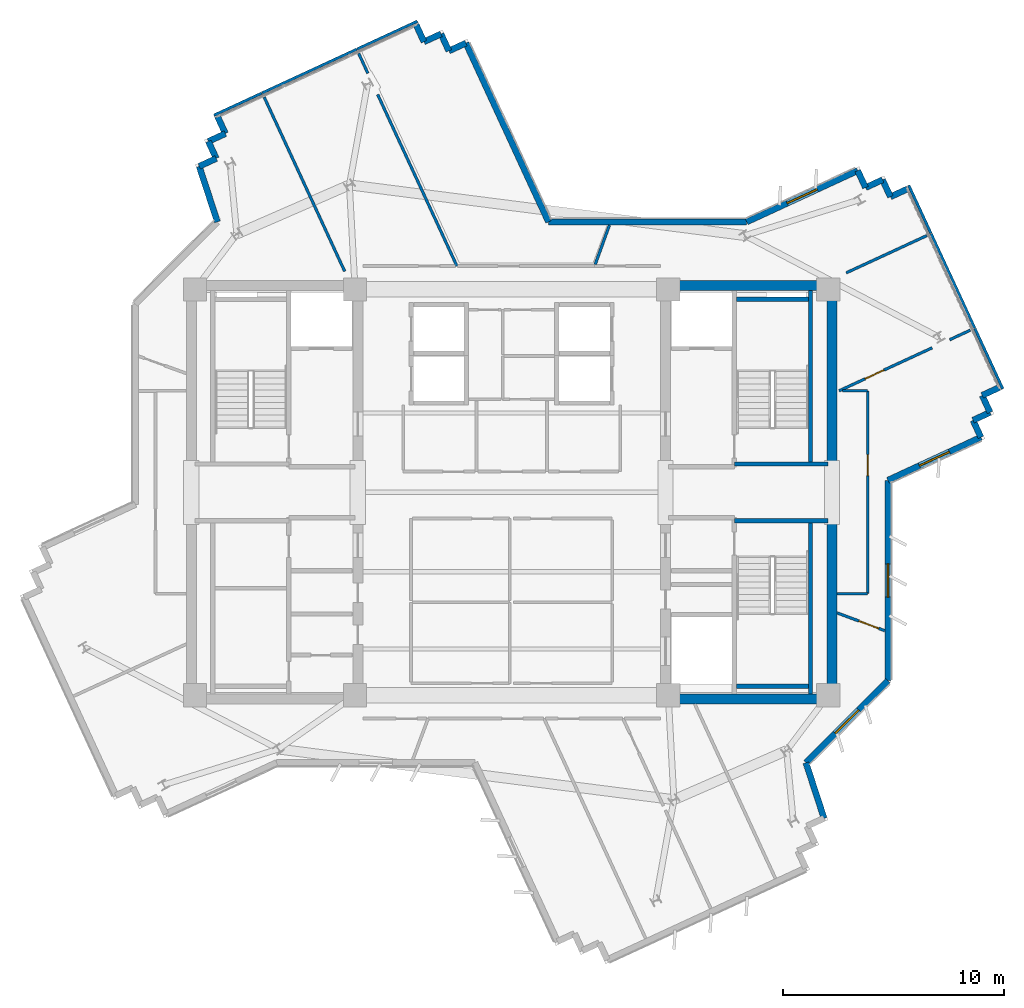
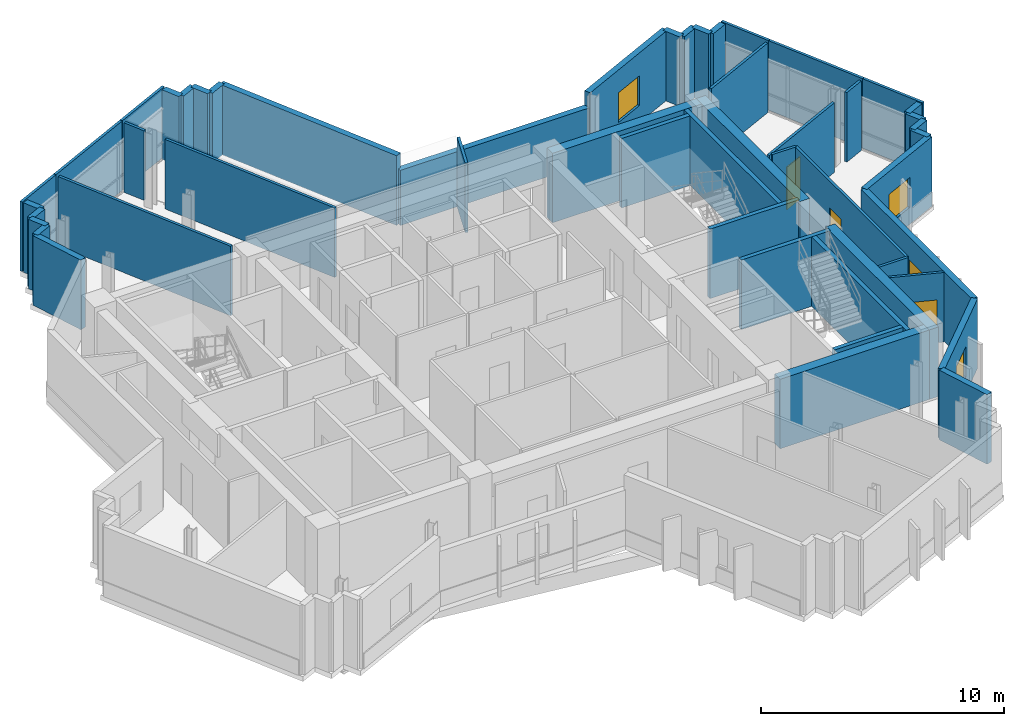
# One storey, part 8 of 12: 51 walls, 4 windows, 3 doors, 7 openings.
"""IFC4 building model written with IfcOpenShell, lengths in metres."""

import ifcopenshell
import ifcopenshell.guid

model = None  # the IFC model being written
_history = None  # IfcOwnerHistory: only IFC2X3 demands one
_inside = {}  # id of a spatial element -> (the spatial element, [elements in it])
_under = {}  # id of a project, library or spatial element -> (it, [spatial elements below it])
_declared = {}  # id of a project -> (the project, [libraries it declares])
_typed = {}  # id of a type object -> (the type object, [elements of that type])
_made_of = {}  # id of a material, layer set ... -> (it, [elements and type objects made of it])


def new_model(schema):
    """Start an empty IFC model of exactly this schema.

    Asked for "IFC4X3", IfcOpenShell would pick the latest addendum, in which some entities
    have other attributes; the version numbers below select the first issue.
    IFC2X3 requires an IfcOwnerHistory on every rooted entity: one is made here for all.
    """
    global model, _history
    if schema == "IFC4X3":
        model = ifcopenshell.file(schema_version=(4, 3, 0, 0))
    else:
        model = ifcopenshell.file(schema=schema)
    _inside.clear()
    _under.clear()
    _declared.clear()
    _typed.clear()
    _made_of.clear()
    _history = None
    if model.schema == "IFC2X3":
        org = make("IfcOrganization", Name="unknown")
        user = make(
            "IfcPersonAndOrganization",
            ThePerson=make("IfcPerson", FamilyName="unknown"),
            TheOrganization=org,
        )
        app = make(
            "IfcApplication",
            ApplicationDeveloper=org,
            Version="unknown",
            ApplicationFullName="unknown",
            ApplicationIdentifier="unknown",
        )
        _history = make(
            "IfcOwnerHistory",
            OwningUser=user,
            OwningApplication=app,
            ChangeAction="ADDED",
            CreationDate=0,
        )
    return model


def make(cls, **values):
    """One entity of the class cls with the attributes given. An attribute that is None is left unset."""
    return model.create_entity(
        cls, **{name: value for name, value in values.items() if value is not None}
    )


def rooted(cls, **values):
    """An entity with a GlobalId (a new one), such as an element, a storey or a relation."""
    return make(cls, GlobalId=ifcopenshell.guid.new(), OwnerHistory=_history, **values)


def si_unit(unit_type, name, prefix=None):
    """IfcSIUnit, for example si_unit("LENGTHUNIT", "METRE", prefix="MILLI")."""
    return make("IfcSIUnit", UnitType=unit_type, Prefix=prefix, Name=name)


def assignment(units):
    """IfcUnitAssignment: the units of a project."""
    return None if units is None else make("IfcUnitAssignment", Units=units)


def point(xyz):
    """IfcCartesianPoint."""
    return None if xyz is None else make("IfcCartesianPoint", Coordinates=xyz)


def direction(xyz):
    """IfcDirection."""
    return None if xyz is None else make("IfcDirection", DirectionRatios=xyz)


def frame(location, z_axis=None, x_axis=None):
    """IfcAxis2Placement3D, a coordinate frame: its origin and axes. An axis left out is left unset."""
    return make(
        "IfcAxis2Placement3D",
        Location=point(location),
        Axis=direction(z_axis),
        RefDirection=direction(x_axis),
    )


def frame_2d(location, x_axis=None):
    """IfcAxis2Placement2D, a coordinate frame in the plane: its origin and x axis."""
    return make(
        "IfcAxis2Placement2D", Location=point(location), RefDirection=direction(x_axis)
    )


def origin():
    """The frame at (0, 0, 0) with its axes left unset."""
    return frame((0.0, 0.0, 0.0))


def place(relative_to, where):
    """IfcLocalPlacement: puts the frame where relative to a parent placement (None: the world)."""
    return make(
        "IfcLocalPlacement", PlacementRelTo=relative_to, RelativePlacement=where
    )


def context(
    kind, dimensions, precision=None, world=None, true_north=None, identifier=None
):
    """IfcGeometricRepresentationContext, for example the 3D "Model" context."""
    return make(
        "IfcGeometricRepresentationContext",
        ContextIdentifier=identifier,
        ContextType=kind,
        CoordinateSpaceDimension=dimensions,
        Precision=precision,
        WorldCoordinateSystem=world,
        TrueNorth=true_north,
    )


def subcontext(parent, identifier, kind, view, scale=None):
    """IfcGeometricRepresentationSubContext, for example "Body" below "Model"."""
    return make(
        "IfcGeometricRepresentationSubContext",
        ContextIdentifier=identifier,
        ContextType=kind,
        ParentContext=parent,
        TargetScale=scale,
        TargetView=view,
    )


def project(units=None, contexts=None):
    """IfcProject with its units and contexts."""
    return rooted(
        "IfcProject",
        Name="project",
        RepresentationContexts=contexts,
        UnitsInContext=assignment(units),
    )


def spatial(cls, under=None, at=None, **own):
    """A site, building, storey or space (cls), placed at a placement, below another one or the project."""
    s = rooted(cls, ObjectPlacement=at, **own)
    if under is not None:
        _under.setdefault(under.id(), (under, []))[1].append(s)
    return s


def profile(cls, at=None, kind="AREA", **sizes):
    """A parametric profile (cls). Its sizes go by their IFC names, for example OverallWidth=200.0."""
    return make(cls, ProfileType=kind, Position=at, **sizes)


def rectangle(**sizes):
    """IfcRectangleProfileDef."""
    return profile("IfcRectangleProfileDef", **sizes)


def extrude(swept, where, along, depth):
    """IfcExtrudedAreaSolid: the profile swept, set in the frame where, extruded along a direction by depth."""
    return make(
        "IfcExtrudedAreaSolid",
        SweptArea=swept,
        Position=where,
        ExtrudedDirection=direction(along),
        Depth=depth,
    )


def shape(context_of_items, identifier, shape_type, items):
    """IfcShapeRepresentation: the items that make up one representation, for example the "Body"."""
    return make(
        "IfcShapeRepresentation",
        ContextOfItems=context_of_items,
        RepresentationIdentifier=identifier,
        RepresentationType=shape_type,
        Items=items,
    )


def source(mapping_origin, context_of_items, identifier, shape_type, items):
    """IfcRepresentationMap: a shape defined once, which mapped items show again and again."""
    return make(
        "IfcRepresentationMap",
        MappingOrigin=mapping_origin,
        MappedRepresentation=shape(context_of_items, identifier, shape_type, items),
    )


def transform(
    local_origin,
    x_axis=None,
    y_axis=None,
    z_axis=None,
    scale=None,
    scale2=None,
    scale3=None,
    uniform=True,
):
    """IfcCartesianTransformationOperator3D, or its non-uniform kind. x_axis, y_axis, z_axis: its Axis1, 2, 3."""
    if uniform:
        return make(
            "IfcCartesianTransformationOperator3D",
            Axis1=direction(x_axis),
            Axis2=direction(y_axis),
            LocalOrigin=point(local_origin),
            Scale=scale,
            Axis3=direction(z_axis),
        )
    return make(
        "IfcCartesianTransformationOperator3DnonUniform",
        Axis1=direction(x_axis),
        Axis2=direction(y_axis),
        LocalOrigin=point(local_origin),
        Scale=scale,
        Axis3=direction(z_axis),
        Scale2=scale2,
        Scale3=scale3,
    )


def mapped(mapping_source, mapping_target):
    """IfcMappedItem: shows the shape of a source again, moved by a transform."""
    return make(
        "IfcMappedItem", MappingSource=mapping_source, MappingTarget=mapping_target
    )


def material(Name=None, Category=None):
    """IfcMaterial."""
    return make("IfcMaterial", Name=Name, Category=Category)


def layer(
    of_material, thickness, ventilated=None, Name=None, Category=None, Priority=None
):
    """IfcMaterialLayer: one layer of a wall or slab, of a material (None: an air gap)."""
    return make(
        "IfcMaterialLayer",
        Material=of_material,
        LayerThickness=thickness,
        IsVentilated=ventilated,
        Name=Name,
        Category=Category,
        Priority=Priority,
    )


def layer_set(layers, Name=None):
    """IfcMaterialLayerSet."""
    return make("IfcMaterialLayerSet", MaterialLayers=layers, LayerSetName=Name)


def made_of(thing, what):
    """Note that an element or type object is made of a material, layer set ...; save() writes the relation."""
    if what is not None:
        _made_of.setdefault(what.id(), (what, []))[1].append(thing)
    return thing


def type_object(cls, material=None, **own):
    """A type object (cls), such as IfcWallType, which elements share."""
    return made_of(rooted(cls, **own), material)


def element(
    cls,
    number,
    at=None,
    inside=None,
    cuts=None,
    type_object=None,
    material=None,
    context=None,
    identifier="Body",
    shape_type=None,
    held_by="IfcProductDefinitionShape",
    body=None,
    shapes=None,
    **own,
):
    """One element of the class cls, such as IfcWall. Its Tag is "e" and its number.

    at: its placement. inside: the storey or other place that contains it. cuts: it is an
    opening in that element (IfcRelVoidsElement). A single representation is given by context,
    identifier, shape_type and body (its items); several are given by shapes. held_by: the class
    of the entity that holds the representations. save() writes the other relations.
    """
    e = rooted(cls, Tag="e%d" % number, ObjectPlacement=at, **own)
    if body is not None:
        shapes = [shape(context, identifier, shape_type, body)]
    if shapes is not None:
        e.Representation = make(held_by, Representations=shapes)
    if inside is not None:
        _inside.setdefault(inside.id(), (inside, []))[1].append(e)
    if cuts is not None:
        rooted(
            "IfcRelVoidsElement", RelatingBuildingElement=cuts, RelatedOpeningElement=e
        )
    if type_object is not None:
        _typed.setdefault(type_object.id(), (type_object, []))[1].append(e)
    return made_of(e, material)


def fill(opening, filler):
    """IfcRelFillsElement: the door or window that sits in an opening."""
    return rooted(
        "IfcRelFillsElement",
        RelatingOpeningElement=opening,
        RelatedBuildingElement=filler,
    )


def aggregate(whole, parts):
    """IfcRelAggregates: a whole, such as a stair, and the parts it consists of."""
    return rooted("IfcRelAggregates", RelatingObject=whole, RelatedObjects=parts)


def save(model, path):
    """Write the relations noted so far, then the file.

    IfcRelAggregates (storeys below a building ...), IfcRelContainedInSpatialStructure (elements
    in a storey), IfcRelDefinesByType, IfcRelAssociatesMaterial and IfcRelDeclares: one each for
    every whole, place, type object, material and project.
    """
    for whole, parts in _under.values():
        aggregate(whole, parts)
    for where, things in _inside.values():
        rooted(
            "IfcRelContainedInSpatialStructure",
            RelatedElements=things,
            RelatingStructure=where,
        )
    for kind, things in _typed.values():
        rooted("IfcRelDefinesByType", RelatedObjects=things, RelatingType=kind)
    for what, things in _made_of.values():
        rooted("IfcRelAssociatesMaterial", RelatedObjects=things, RelatingMaterial=what)
    for by, libraries in _declared.values():
        rooted("IfcRelDeclares", RelatingContext=by, RelatedDefinitions=libraries)
    model.write(path)


model = new_model("IFC4")

# Units and contexts
model_context = context("Model", 3, precision=1e-05, world=origin(), true_north=direction((0.0, 1.0)))
body_context = subcontext(model_context, "Body", "Model", "MODEL_VIEW")
ifc_project = project(units=[si_unit("LENGTHUNIT", "METRE"), si_unit("AREAUNIT", "SQUARE_METRE"), si_unit("VOLUMEUNIT", "CUBIC_METRE"), si_unit("PLANEANGLEUNIT", "RADIAN"), si_unit("MASSUNIT", "GRAM", prefix="KILO")], contexts=[model_context])

# Site, building, storey
site_placement = place(None, origin())
site = spatial("IfcSite", under=ifc_project, at=site_placement, CompositionType="ELEMENT")
building_placement = place(site_placement, origin())
building = spatial("IfcBuilding", under=site, at=building_placement, Name="Zahravan Cultural Tower", CompositionType="ELEMENT")
storey_placement = place(building_placement, frame((0.0, 0.0, 246.60009765625)))
storey = spatial("IfcBuildingStorey", under=building, at=storey_placement, Name="L58", CompositionType="ELEMENT", Elevation=246.60009765625)

# Wall, opening, window
ifc_material_1 = material(Name="Precast concrete C40/50", Category="concrete")
ifc_layer_1 = layer(ifc_material_1, 0.280029296875)
ifc_layer_set_1 = layer_set([ifc_layer_1], Name="Precast concrete C40/50")
wall_type_1 = type_object("IfcWallType", Name="EW-TC-280", PredefinedType="SOLIDWALL", material=ifc_layer_set_1)
wall_1_placement = place(storey_placement, frame((46.6552734375, 39.260009765625, 0.0), z_axis=(0.0, 0.0, 1.0), x_axis=(0.907767275269, 0.419474163627, 0.0)))
wall_1 = element("IfcWall", 1, at=wall_1_placement, inside=storey, type_object=wall_type_1, Name="L58 Exterior Masonry Frame Wall 01", PredefinedType="SOLIDWALL", context=body_context, shape_type="SweptSolid", body=[
    extrude(rectangle(XDim=5.544921875, YDim=0.280029296875, at=frame_2d((2.7724609375, 0.0))), origin(), (0.0, 0.0, 1.0), 3.5),
])
opening_1_placement = place(wall_1_placement, frame((2.02197265625, 0.0, 0.85009765625)))
opening_1 = element("IfcOpeningElement", 2, at=opening_1_placement, cuts=wall_1, Name="Opening WN-03", PredefinedType="OPENING", context=body_context, shape_type="SweptSolid", body=[
    extrude(rectangle(XDim=1.5, YDim=1.5, at=frame_2d((0.75, 0.75))), frame((0.0, 0.14990234375, 0.0), z_axis=(0.0, -1.0, 0.0), x_axis=(1.0, 0.0, 0.0)), (0.0, 0.0, 1.0), 0.300048828125),
])
ifc_material_2 = material(Name="Low-E solar-control double glazing", Category="glass")
window_type = type_object("IfcWindowType", Name="WN-REC-1500X1500", PartitioningType="SINGLE_PANEL", PredefinedType="WINDOW", material=ifc_material_2)
shared_shape_1 = source(origin(), body_context, "Body", "SweptSolid", [
    extrude(rectangle(XDim=1.5, YDim=1.5, at=frame_2d((0.75, 0.75))), frame((0.0, 0.030029296875, 0.0), z_axis=(0.0, -1.0, 0.0), x_axis=(1.0, 0.0, 0.0)), (0.0, 0.0, 1.0), 0.06005859375),
])
window_1_placement = place(opening_1_placement, origin())
window_1 = element("IfcWindow", 3, at=window_1_placement, inside=storey, type_object=window_type, Name="L58 Recessed Solar Window 01", OverallHeight=1.5, OverallWidth=1.5, PartitioningType="SINGLE_PANEL", PredefinedType="WINDOW", context=body_context, shape_type="MappedRepresentation", body=[
    mapped(shared_shape_1, transform((0.0, 0.0, 0.0), x_axis=(1.0, 0.0, 0.0), y_axis=(0.0, 1.0, 0.0), z_axis=(0.0, 0.0, 1.0), scale=1.0)),
])
fill(opening_1, window_1)

wall_2_placement = place(storey_placement, frame((57.27587890625, 29.494384765625, 0.0), z_axis=(0.0, 0.0, 1.0), x_axis=(-0.907756183213, -0.419498166669, 0.0)))
wall_2 = element("IfcWall", 4, at=wall_2_placement, inside=storey, type_object=wall_type_1, Name="L58 Exterior Masonry Frame Wall 10", PredefinedType="SOLIDWALL", context=body_context, shape_type="SweptSolid", body=[
    extrude(rectangle(XDim=4.644287109375, YDim=0.280029296875, at=frame_2d((2.322265625, 0.0))), origin(), (0.0, 0.0, 1.0), 3.5),
])
opening_2_placement = place(wall_2_placement, frame((1.572021484375, 0.0, 0.85009765625)))
opening_2 = element("IfcOpeningElement", 5, at=opening_2_placement, cuts=wall_2, Name="Opening WN-03", PredefinedType="OPENING", context=body_context, shape_type="SweptSolid", body=[
    extrude(rectangle(XDim=1.5, YDim=1.5, at=frame_2d((0.75, 0.75))), frame((0.0, 0.14990234375, 0.0), z_axis=(0.0, -1.0, 0.0), x_axis=(1.0, 0.0, 0.0)), (0.0, 0.0, 1.0), 0.300048828125),
])
window_2_placement = place(opening_2_placement, origin())
window_2 = element("IfcWindow", 6, at=window_2_placement, inside=storey, type_object=window_type, Name="L58 Recessed Solar Window 02", OverallHeight=1.5, OverallWidth=1.5, PartitioningType="SINGLE_PANEL", PredefinedType="WINDOW", context=body_context, shape_type="MappedRepresentation", body=[
    mapped(shared_shape_1, transform((0.0, 0.0, 0.0), x_axis=(1.0, 0.0, 0.0), y_axis=(0.0, 1.0, 0.0), z_axis=(0.0, 0.0, 1.0), scale=1.0)),
])
fill(opening_2, window_2)

wall_3_placement = place(storey_placement, frame((53.06005859375, 27.546142578125, 0.0), z_axis=(0.0, 0.0, 1.0), x_axis=(0.0, -1.0, 0.0)))
wall_3 = element("IfcWall", 7, at=wall_3_placement, inside=storey, type_object=wall_type_1, Name="L58 Exterior Masonry Frame Wall 11", PredefinedType="SOLIDWALL", context=body_context, shape_type="SweptSolid", body=[
    extrude(rectangle(XDim=9.088134765625, YDim=0.280029296875, at=frame_2d((4.5439453125, 0.0))), origin(), (0.0, 0.0, 1.0), 3.5),
])
opening_3_placement = place(wall_3_placement, frame((3.7939453125, 0.0, 0.85009765625)))
opening_3 = element("IfcOpeningElement", 8, at=opening_3_placement, cuts=wall_3, Name="Opening WN-03", PredefinedType="OPENING", context=body_context, shape_type="SweptSolid", body=[
    extrude(rectangle(XDim=1.5, YDim=1.5, at=frame_2d((0.75, 0.75))), frame((0.0, 0.14990234375, 0.0), z_axis=(0.0, -1.0, 0.0), x_axis=(1.0, 0.0, 0.0)), (0.0, 0.0, 1.0), 0.300048828125),
])
window_3_placement = place(opening_3_placement, origin())
window_3 = element("IfcWindow", 9, at=window_3_placement, inside=storey, type_object=window_type, Name="L58 Recessed Solar Window 03", OverallHeight=1.5, OverallWidth=1.5, PartitioningType="SINGLE_PANEL", PredefinedType="WINDOW", context=body_context, shape_type="MappedRepresentation", body=[
    mapped(shared_shape_1, transform((0.0, 0.0, 0.0), x_axis=(1.0, 0.0, 0.0), y_axis=(0.0, 1.0, 0.0), z_axis=(0.0, 0.0, 1.0), scale=1.0)),
])
fill(opening_3, window_3)

wall_4_placement = place(storey_placement, frame((53.06005859375, 18.4580078125, 0.0), z_axis=(0.0, 0.0, 1.0), x_axis=(-0.707106781187, -0.707106781187, 0.0)))
wall_4 = element("IfcWall", 10, at=wall_4_placement, inside=storey, type_object=wall_type_1, Name="L58 Exterior Masonry Frame Wall 12", PredefinedType="SOLIDWALL", context=body_context, shape_type="SweptSolid", body=[
    extrude(rectangle(XDim=5.258056640625, YDim=0.280029296875, at=frame_2d((2.62890625, 0.0))), origin(), (0.0, 0.0, 1.0), 3.5),
])
opening_4_placement = place(wall_4_placement, frame((1.87890625, 0.0, 0.85009765625)))
opening_4 = element("IfcOpeningElement", 11, at=opening_4_placement, cuts=wall_4, Name="Opening WN-03", PredefinedType="OPENING", context=body_context, shape_type="SweptSolid", body=[
    extrude(rectangle(XDim=1.5, YDim=1.5, at=frame_2d((0.75, 0.75))), frame((0.0, 0.14990234375, 0.0), z_axis=(0.0, -1.0, 0.0), x_axis=(1.0, 0.0, 0.0)), (0.0, 0.0, 1.0), 0.300048828125),
])
window_4_placement = place(opening_4_placement, origin())
window_4 = element("IfcWindow", 12, at=window_4_placement, inside=storey, type_object=window_type, Name="L58 Recessed Solar Window 04", OverallHeight=1.5, OverallWidth=1.5, PartitioningType="SINGLE_PANEL", PredefinedType="WINDOW", context=body_context, shape_type="MappedRepresentation", body=[
    mapped(shared_shape_1, transform((0.0, 0.0, 0.0), x_axis=(1.0, 0.0, 0.0), y_axis=(0.0, 1.0, 0.0), z_axis=(0.0, 0.0, 1.0), scale=1.0)),
])
fill(opening_4, window_4)

# Wall, opening, door
ifc_material_3 = material(Name="Gypsum plasterboard partition")
ifc_layer_2 = layer(ifc_material_3, 0.125)
ifc_layer_set_2 = layer_set([ifc_layer_2], Name="Gypsum plasterboard partition")
wall_type_2 = type_object("IfcWallType", Name="W-PART-125", PredefinedType="PARTITIONING", material=ifc_layer_set_2)
wall_5_placement = place(storey_placement, frame((55.06787109375, 33.55224609375, 0.0), z_axis=(0.0, 0.0, 1.0), x_axis=(-0.90779658515, -0.419410729465, 0.0)))
wall_5 = element("IfcWall", 13, at=wall_5_placement, inside=storey, type_object=wall_type_2, Name="L58 Interior Wall 073", PredefinedType="PARTITIONING", context=body_context, shape_type="SweptSolid", body=[
    extrude(rectangle(XDim=4.654541015625, YDim=0.125, at=frame_2d((2.3271484375, 0.0))), origin(), (0.0, 0.0, 1.0), 3.5),
])
opening_5_placement = place(wall_5_placement, frame((2.407958984375, 0.0, 0.0)))
opening_5 = element("IfcOpeningElement", 14, at=opening_5_placement, cuts=wall_5, Name="Opening D-L58-32", PredefinedType="OPENING", context=body_context, shape_type="SweptSolid", body=[
    extrude(rectangle(XDim=0.949951171875, YDim=2.14990234375, at=frame_2d((0.47509765625, 1.074951171875))), frame((0.0, 0.072509765625, 0.0), z_axis=(0.0, -1.0, 0.0), x_axis=(1.0, 0.0, 0.0)), (0.0, 0.0, 1.0), 0.14501953125),
])
ifc_material_4 = material(Name="Anodised bronze-aluminium mullion", Category="aluminium")
door_type = type_object("IfcDoorType", Name="DR-ROOM-950", OperationType="NOTDEFINED", PredefinedType="DOOR", material=ifc_material_4)
shared_shape_2 = source(origin(), body_context, "Body", "SweptSolid", [
    extrude(rectangle(XDim=0.949951171875, YDim=2.14990234375, at=frame_2d((0.47509765625, 1.074951171875))), frame((0.0, 0.02490234375, 0.0), z_axis=(0.0, -1.0, 0.0), x_axis=(1.0, 0.0, 0.0)), (0.0, 0.0, 1.0), 0.050048828125),
])
door_1_placement = place(opening_5_placement, origin())
door_1 = element("IfcDoor", 15, at=door_1_placement, inside=storey, type_object=door_type, Name="L58 Door D-L58-32", OperationType="SINGLE_SWING_LEFT", OverallHeight=2.14990234375, OverallWidth=0.949951171875, PredefinedType="DOOR", context=body_context, shape_type="MappedRepresentation", body=[
    mapped(shared_shape_2, transform((0.0, 0.0, 0.0), x_axis=(1.0, 0.0, 0.0), y_axis=(0.0, 1.0, 0.0), z_axis=(0.0, 0.0, 1.0), scale=1.0)),
])
fill(opening_5, door_1)

wall_6_placement = place(storey_placement, frame((52.14990234375, 22.406005859375, 0.0), z_axis=(0.0, 0.0, 1.0), x_axis=(-2.657666e-05, 0.999999999647, 0.0)))
wall_6 = element("IfcWall", 16, at=wall_6_placement, inside=storey, type_object=wall_type_2, Name="L58 Interior Wall 081", PredefinedType="PARTITIONING", context=body_context, shape_type="SweptSolid", body=[
    extrude(rectangle(XDim=9.186279296875, YDim=0.125, at=frame_2d((4.59326171875, 0.0))), origin(), (0.0, 0.0, 1.0), 3.5),
])
opening_6_placement = place(wall_6_placement, frame((5.353759765625, 0.0, 0.0)))
opening_6 = element("IfcOpeningElement", 17, at=opening_6_placement, cuts=wall_6, Name="Opening D-L58-23", PredefinedType="OPENING", context=body_context, shape_type="SweptSolid", body=[
    extrude(rectangle(XDim=0.949951171875, YDim=2.14990234375, at=frame_2d((0.47509765625, 1.074951171875))), frame((0.0, 0.072509765625, 0.0), z_axis=(0.0, -1.0, 0.0), x_axis=(1.0, 0.0, 0.0)), (0.0, 0.0, 1.0), 0.14501953125),
])
door_2_placement = place(opening_6_placement, origin())
door_2 = element("IfcDoor", 18, at=door_2_placement, inside=storey, type_object=door_type, Name="L58 Door D-L58-23", OperationType="SINGLE_SWING_RIGHT", OverallHeight=2.14990234375, OverallWidth=0.949951171875, PredefinedType="DOOR", context=body_context, shape_type="MappedRepresentation", body=[
    mapped(shared_shape_2, transform((0.0, 0.0, 0.0), x_axis=(1.0, 0.0, 0.0), y_axis=(0.0, 1.0, 0.0), z_axis=(0.0, 0.0, 1.0), scale=1.0)),
])
fill(opening_6, door_2)

wall_7_placement = place(storey_placement, frame((52.9150390625, 20.72705078125, 0.0), z_axis=(0.0, 0.0, 1.0), x_axis=(-0.936884992217, 0.349637685839, 0.0)))
wall_7 = element("IfcWall", 19, at=wall_7_placement, inside=storey, type_object=wall_type_2, Name="L58 Interior Wall 084", PredefinedType="PARTITIONING", context=body_context, shape_type="SweptSolid", body=[
    extrude(rectangle(XDim=2.3056640625, YDim=0.125, at=frame_2d((1.15283203125, 0.0))), origin(), (0.0, 0.0, 1.0), 3.5),
])
opening_7_placement = place(wall_7_placement, frame((0.298095703125, 0.0, 0.0)))
opening_7 = element("IfcOpeningElement", 20, at=opening_7_placement, cuts=wall_7, Name="Opening D-L58-35", PredefinedType="OPENING", context=body_context, shape_type="SweptSolid", body=[
    extrude(rectangle(XDim=0.949951171875, YDim=2.14990234375, at=frame_2d((0.47509765625, 1.074951171875))), frame((0.0, 0.072509765625, 0.0), z_axis=(0.0, -1.0, 0.0), x_axis=(1.0, 0.0, 0.0)), (0.0, 0.0, 1.0), 0.14501953125),
])
door_3_placement = place(opening_7_placement, origin())
door_3 = element("IfcDoor", 21, at=door_3_placement, inside=storey, type_object=door_type, Name="L58 Door D-L58-35", OperationType="SINGLE_SWING_RIGHT", OverallHeight=2.14990234375, OverallWidth=0.949951171875, PredefinedType="DOOR", context=body_context, shape_type="MappedRepresentation", body=[
    mapped(shared_shape_2, transform((0.0, 0.0, 0.0), x_axis=(1.0, 0.0, 0.0), y_axis=(0.0, 1.0, 0.0), z_axis=(0.0, 0.0, 1.0), scale=1.0)),
])
fill(opening_7, door_3)

# Walls
ifc_material_5 = material(Name="Concrete C50/60", Category="concrete")
ifc_layer_3 = layer(ifc_material_5, 0.449951171875)
ifc_layer_set_3 = layer_set([ifc_layer_3], Name="Concrete C50/60")
wall_type_3 = type_object("IfcWallType", Name="CW-SHEAR-450-C50", PredefinedType="SHEAR", material=ifc_layer_set_3)
shared_shape_3 = source(origin(), body_context, "Body", "SweptSolid", [
    extrude(rectangle(XDim=8.550048828125, YDim=0.449951171875, at=frame_2d((4.27490234375, 0.0))), origin(), (0.0, 0.0, 1.0), 3.5),
])
for number, where, z_axis, x_axis, name in (
    (22, (50.52490234375, 17.39990234375, 0.0), (0.0, 0.0, 1.0), (0.0, 1.0, 0.0), "L58 Core Shear Wall CW-E-ES-L58"),
    (23, (50.52490234375, 28.050048828125, 0.0), (0.0, 0.0, 1.0), (0.0, 1.0, 0.0), "L58 Core Shear Wall CW-E-EN-L58"),
):
    element("IfcWall", number, at=place(storey_placement, frame(where, z_axis=z_axis, x_axis=x_axis)), inside=storey, type_object=wall_type_3, Name=name, PredefinedType="SHEAR", context=body_context, shape_type="MappedRepresentation", body=[
        mapped(shared_shape_3, transform((0.0, 0.0, 0.0), x_axis=(1.0, 0.0, 0.0), y_axis=(0.0, 1.0, 0.0), z_axis=(0.0, 0.0, 1.0), scale=1.0)),
    ])
shared_shape_4 = source(origin(), body_context, "Body", "SweptSolid", [
    extrude(rectangle(XDim=7.10009765625, YDim=0.449951171875, at=frame_2d((3.550048828125, 0.0))), origin(), (0.0, 0.0, 1.0), 3.5),
])
for number, where, z_axis, x_axis, name in (
    (24, (43.199951171875, 17.625, 0.0), (0.0, 0.0, 1.0), (1.0, 0.0, 0.0), "L58 Core Shear Wall CW-E-S-L58"),
    (25, (43.199951171875, 36.375, 0.0), (0.0, 0.0, 1.0), (1.0, 0.0, 0.0), "L58 Core Shear Wall CW-E-N-L58"),
):
    element("IfcWall", number, at=place(storey_placement, frame(where, z_axis=z_axis, x_axis=x_axis)), inside=storey, type_object=wall_type_3, Name=name, PredefinedType="SHEAR", context=body_context, shape_type="MappedRepresentation", body=[
        mapped(shared_shape_4, transform((0.0, 0.0, 0.0), x_axis=(1.0, 0.0, 0.0), y_axis=(0.0, 1.0, 0.0), z_axis=(0.0, 0.0, 1.0), scale=1.0)),
    ])
shared_shape_5 = source(origin(), body_context, "Body", "SweptSolid", [
    extrude(rectangle(XDim=0.85009765625, YDim=0.280029296875, at=frame_2d((0.425048828125, 0.0))), origin(), (0.0, 0.0, 1.0), 3.5),
])
for number, where, z_axis, x_axis, name in (
    (26, (51.688720703125, 41.5859375, 0.0), (0.0, 0.0, 1.0), (0.419549800563, -0.907732320041, 0.0), "L58 Exterior Masonry Frame Wall 02"),
    (27, (52.81689453125, 41.1708984375, 0.0), (0.0, 0.0, 1.0), (0.419313139191, -0.907841666427, 0.0), "L58 Exterior Masonry Frame Wall 04"),
    (28, (53.17333984375, 40.399169921875, 0.0), (0.0, 0.0, 1.0), (0.907841666427, 0.419313139191, 0.0), "L58 Exterior Masonry Frame Wall 05"),
    (29, (58.106201171875, 31.75048828125, 0.0), (0.0, 0.0, 1.0), (-0.907841666427, -0.419313139191, 0.0), "L58 Exterior Masonry Frame Wall 06"),
    (30, (57.33447265625, 31.39404296875, 0.0), (0.0, 0.0, 1.0), (0.419313139191, -0.907841666427, 0.0), "L58 Exterior Masonry Frame Wall 07"),
    (31, (21.83349609375, 41.781005859375, 0.0), (0.0, 0.0, 1.0), (0.907841666427, 0.419313139191, 0.0), "L58 Exterior Masonry Frame Wall 39"),
    (32, (22.605224609375, 42.137451171875, 0.0), (0.0, 0.0, 1.0), (-0.419313139191, 0.907841666427, 0.0), "L58 Exterior Masonry Frame Wall 40"),
    (33, (23.020263671875, 43.265625, 0.0), (0.0, 0.0, 1.0), (-0.419313139191, 0.907841666427, 0.0), "L58 Exterior Masonry Frame Wall 42"),
    (34, (32.025390625, 47.4267578125, 0.0), (0.0, 0.0, 1.0), (0.907841666427, 0.419313139191, 0.0), "L58 Exterior Masonry Frame Wall 44"),
    (35, (33.153564453125, 47.01171875, 0.0), (0.0, 0.0, 1.0), (0.907841666427, 0.419313139191, 0.0), "L58 Exterior Masonry Frame Wall 46"),
):
    element("IfcWall", number, at=place(storey_placement, frame(where, z_axis=z_axis, x_axis=x_axis)), inside=storey, type_object=wall_type_1, Name=name, PredefinedType="SOLIDWALL", context=body_context, shape_type="MappedRepresentation", body=[
        mapped(shared_shape_5, transform((0.0, 0.0, 0.0), x_axis=(1.0, 0.0, 0.0), y_axis=(0.0, 1.0, 0.0), z_axis=(0.0, 0.0, 1.0), scale=1.0)),
    ])
shared_shape_6 = source(origin(), body_context, "Body", "SweptSolid", [
    extrude(rectangle(XDim=0.849853515625, YDim=0.280029296875, at=frame_2d((0.4248046875, 0.0))), origin(), (0.0, 0.0, 1.0), 3.5),
])
for number, where, z_axis, x_axis, name in (
    (36, (52.04541015625, 40.814208984375, 0.0), (0.0, 0.0, 1.0), (0.907681752694, 0.41965919009, 0.0), "L58 Exterior Masonry Frame Wall 03"),
    (37, (57.69091796875, 30.622314453125, 0.0), (0.0, 0.0, 1.0), (-0.907791150023, -0.419422493365, 0.0), "L58 Exterior Masonry Frame Wall 08"),
    (38, (56.91943359375, 30.265869140625, 0.0), (0.0, 0.0, 1.0), (0.419422493365, -0.907791150023, 0.0), "L58 Exterior Masonry Frame Wall 09"),
    (39, (22.248779296875, 42.9091796875, 0.0), (0.0, 0.0, 1.0), (0.907791150023, 0.419422493365, 0.0), "L58 Exterior Masonry Frame Wall 41"),
    (40, (31.6689453125, 48.1982421875, 0.0), (0.0, 0.0, 1.0), (0.419422493365, -0.907791150023, 0.0), "L58 Exterior Masonry Frame Wall 43"),
    (41, (32.797119140625, 47.783203125, 0.0), (0.0, 0.0, 1.0), (0.419422493365, -0.907791150023, 0.0), "L58 Exterior Masonry Frame Wall 45"),
):
    element("IfcWall", number, at=place(storey_placement, frame(where, z_axis=z_axis, x_axis=x_axis)), inside=storey, type_object=wall_type_1, Name=name, PredefinedType="SOLIDWALL", context=body_context, shape_type="MappedRepresentation", body=[
        mapped(shared_shape_6, transform((0.0, 0.0, 0.0), x_axis=(1.0, 0.0, 0.0), y_axis=(0.0, 1.0, 0.0), z_axis=(0.0, 0.0, 1.0), scale=1.0)),
    ])
shared_shape_7 = source(origin(), body_context, "Body", "SweptSolid", [
    extrude(rectangle(XDim=2.65234375, YDim=0.280029296875, at=frame_2d((1.326171875, 0.0))), origin(), (0.0, 0.0, 1.0), 3.5),
])
for number, where, z_axis, x_axis, name in (
    (42, (49.342041015625, 14.739990234375, 0.0), (0.0, 0.0, 1.0), (0.310838004308, -0.950462905682, 0.0), "L58 Exterior Masonry Frame Wall 13"),
    (43, (22.657958984375, 39.260009765625, 0.0), (0.0, 0.0, 1.0), (-0.310838004308, 0.950462905682, 0.0), "L58 Exterior Masonry Frame Wall 38"),
):
    element("IfcWall", number, at=place(storey_placement, frame(where, z_axis=z_axis, x_axis=x_axis)), inside=storey, type_object=wall_type_1, Name=name, PredefinedType="SOLIDWALL", context=body_context, shape_type="MappedRepresentation", body=[
        mapped(shared_shape_7, transform((0.0, 0.0, 0.0), x_axis=(1.0, 0.0, 0.0), y_axis=(0.0, 1.0, 0.0), z_axis=(0.0, 0.0, 1.0), scale=1.0)),
    ])
shared_shape_8 = source(origin(), body_context, "Body", "SweptSolid", [
    extrude(rectangle(XDim=8.931884765625, YDim=0.280029296875, at=frame_2d((4.4658203125, 0.0))), origin(), (0.0, 0.0, 1.0), 3.5),
])
wall_8_placement = place(storey_placement, frame((33.92529296875, 47.3681640625, 0.0), z_axis=(0.0, 0.0, 1.0), x_axis=(0.419437747849, -0.90778410191, 0.0)))
element("IfcWall", 44, at=wall_8_placement, inside=storey, type_object=wall_type_1, Name="L58 Exterior Masonry Frame Wall 47", PredefinedType="SOLIDWALL", context=body_context, shape_type="MappedRepresentation", body=[
    mapped(shared_shape_8, transform((0.0, 0.0, 0.0), x_axis=(1.0, 0.0, 0.0), y_axis=(0.0, 1.0, 0.0), z_axis=(0.0, 0.0, 1.0), scale=1.0)),
])
shared_shape_9 = source(origin(), body_context, "Body", "SweptSolid", [
    extrude(rectangle(XDim=8.983642578125, YDim=0.280029296875, at=frame_2d((4.49169921875, 0.0))), origin(), (0.0, 0.0, 1.0), 2.77197265625),
])
wall_9_placement = place(storey_placement, frame((37.671630859375, 39.260009765625, 0.0), z_axis=(0.0, 0.0, 1.0), x_axis=(1.0, 0.0, 0.0)))
element("IfcWall", 45, at=wall_9_placement, inside=storey, type_object=wall_type_1, Name="L58 Exterior Masonry Frame Wall 48", PredefinedType="SOLIDWALL", context=body_context, shape_type="MappedRepresentation", body=[
    mapped(shared_shape_9, transform((0.0, 0.0, 0.0), x_axis=(1.0, 0.0, 0.0), y_axis=(0.0, 1.0, 0.0), z_axis=(0.0, 0.0, 1.0), scale=1.0)),
])
ifc_material_6 = material(Name="Concrete C45/55", Category="concrete")
ifc_layer_4 = layer(ifc_material_6, 0.199951171875)
ifc_layer_set_4 = layer_set([ifc_layer_4], Name="Concrete C45/55")
wall_type_4 = type_object("IfcWallType", Name="W-SHAFT-200", PredefinedType="SOLIDWALL", material=ifc_layer_set_4)
shared_shape_10 = source(origin(), body_context, "Body", "SweptSolid", [
    extrude(rectangle(XDim=7.869873046875, YDim=0.199951171875, at=frame_2d((3.93505859375, 0.0))), origin(), (0.0, 0.0, 1.0), 3.5),
])
for number, where, z_axis, x_axis, name in (
    (46, (49.550048828125, 17.85009765625, 0.0), (0.0, 0.0, 1.0), (0.0, 1.0, 0.0), "L58 Interior Wall 003"),
    (47, (49.550048828125, 28.280029296875, 0.0), (0.0, 0.0, 1.0), (0.0, 1.0, 0.0), "L58 Interior Wall 004"),
):
    element("IfcWall", number, at=place(storey_placement, frame(where, z_axis=z_axis, x_axis=x_axis)), inside=storey, type_object=wall_type_4, Name=name, PredefinedType="SOLIDWALL", context=body_context, shape_type="MappedRepresentation", body=[
        mapped(shared_shape_10, transform((0.0, 0.0, 0.0), x_axis=(1.0, 0.0, 0.0), y_axis=(0.0, 1.0, 0.0), z_axis=(0.0, 0.0, 1.0), scale=1.0)),
    ])
shared_shape_11 = source(origin(), body_context, "Body", "SweptSolid", [
    extrude(rectangle(XDim=4.25, YDim=0.199951171875, at=frame_2d((2.125, 0.0))), origin(), (0.0, 0.0, 1.0), 3.5),
])
for number, where, z_axis, x_axis, name in (
    (48, (46.10009765625, 25.715087890625, 0.0), (0.0, 0.0, 1.0), (1.0, 0.0, 0.0), "L58 Interior Wall 014"),
    (49, (46.10009765625, 28.284912109375, 0.0), (0.0, 0.0, 1.0), (1.0, 0.0, 0.0), "L58 Interior Wall 016"),
):
    element("IfcWall", number, at=place(storey_placement, frame(where, z_axis=z_axis, x_axis=x_axis)), inside=storey, type_object=wall_type_4, Name=name, PredefinedType="SOLIDWALL", context=body_context, shape_type="MappedRepresentation", body=[
        mapped(shared_shape_11, transform((0.0, 0.0, 0.0), x_axis=(1.0, 0.0, 0.0), y_axis=(0.0, 1.0, 0.0), z_axis=(0.0, 0.0, 1.0), scale=1.0)),
    ])
shared_shape_12 = source(origin(), body_context, "Body", "SweptSolid", [
    extrude(rectangle(XDim=3.25, YDim=0.199951171875, at=frame_2d((1.625, 0.0))), origin(), (0.0, 0.0, 1.0), 3.5),
])
for number, where, z_axis, x_axis, name in (
    (50, (46.199951171875, 35.75, 0.0), (0.0, 0.0, 1.0), (1.0, 0.0, 0.0), "L58 Interior Wall 018"),
    (51, (46.199951171875, 18.199951171875, 0.0), (0.0, 0.0, 1.0), (1.0, 0.0, 0.0), "L58 Interior Wall 020"),
):
    element("IfcWall", number, at=place(storey_placement, frame(where, z_axis=z_axis, x_axis=x_axis)), inside=storey, type_object=wall_type_4, Name=name, PredefinedType="SOLIDWALL", context=body_context, shape_type="MappedRepresentation", body=[
        mapped(shared_shape_12, transform((0.0, 0.0, 0.0), x_axis=(1.0, 0.0, 0.0), y_axis=(0.0, 1.0, 0.0), z_axis=(0.0, 0.0, 1.0), scale=1.0)),
    ])
shared_shape_13 = source(origin(), body_context, "Body", "SweptSolid", [
    extrude(rectangle(XDim=3.010009765625, YDim=0.125, at=frame_2d((1.5048828125, 0.0))), origin(), (0.0, 0.0, 1.0), 3.5),
])
for number, where, z_axis, x_axis, name in (
    (52, (57.002685546875, 34.42431640625, 0.0), (0.0, 0.0, 1.0), (0.419490178077, -0.90775987491, 0.0), "L58 Interior Wall 083"),
    (53, (28.9951171875, 47.094970703125, 0.0), (0.0, 0.0, 1.0), (0.907790759102, 0.419423339467, 0.0), "L58 Interior Wall 102"),
):
    element("IfcWall", number, at=place(storey_placement, frame(where, z_axis=z_axis, x_axis=x_axis)), inside=storey, type_object=wall_type_2, Name=name, PredefinedType="PARTITIONING", context=body_context, shape_type="MappedRepresentation", body=[
        mapped(shared_shape_13, transform((0.0, 0.0, 0.0), x_axis=(1.0, 0.0, 0.0), y_axis=(0.0, 1.0, 0.0), z_axis=(0.0, 0.0, 1.0), scale=1.0)),
    ])
shared_shape_14 = source(origin(), body_context, "Body", "SweptSolid", [
    extrude(rectangle(XDim=4.020263671875, YDim=0.125, at=frame_2d((2.01025390625, 0.0))), origin(), (0.0, 0.0, 1.0), 3.5),
])
wall_10_placement = place(storey_placement, frame((51.169921875, 36.95068359375, 0.0), z_axis=(0.0, 0.0, 1.0), x_axis=(0.907776222313, 0.419454801145, 0.0)))
element("IfcWall", 54, at=wall_10_placement, inside=storey, type_object=wall_type_2, Name="L58 Interior Wall 070", PredefinedType="PARTITIONING", context=body_context, shape_type="MappedRepresentation", body=[
    mapped(shared_shape_14, transform((0.0, 0.0, 0.0), x_axis=(1.0, 0.0, 0.0), y_axis=(0.0, 1.0, 0.0), z_axis=(0.0, 0.0, 1.0), scale=1.0)),
])
shared_shape_15 = source(origin(), body_context, "Body", "SweptSolid", [
    extrude(rectangle(XDim=4.72021484375, YDim=0.125, at=frame_2d((2.360107421875, 0.0))), origin(), (0.0, 0.0, 1.0), 3.5),
])
wall_11_placement = place(storey_placement, frame((55.0146484375, 38.727294921875, 0.0), z_axis=(0.0, 0.0, 1.0), x_axis=(0.419422223592, -0.907791274665, 0.0)))
element("IfcWall", 55, at=wall_11_placement, inside=storey, type_object=wall_type_2, Name="L58 Interior Wall 071", PredefinedType="PARTITIONING", context=body_context, shape_type="MappedRepresentation", body=[
    mapped(shared_shape_15, transform((0.0, 0.0, 0.0), x_axis=(1.0, 0.0, 0.0), y_axis=(0.0, 1.0, 0.0), z_axis=(0.0, 0.0, 1.0), scale=1.0)),
])
shared_shape_16 = source(origin(), body_context, "Body", "SweptSolid", [
    extrude(rectangle(XDim=1.034423828125, YDim=0.125, at=frame_2d((0.51708984375, 0.0))), origin(), (0.0, 0.0, 1.0), 3.5),
])
wall_12_placement = place(storey_placement, frame((56.79931640625, 34.352294921875, 0.0), z_axis=(0.0, 0.0, 1.0), x_axis=(-0.907786599617, -0.419432342049, 0.0)))
element("IfcWall", 56, at=wall_12_placement, inside=storey, type_object=wall_type_2, Name="L58 Interior Wall 072", PredefinedType="PARTITIONING", context=body_context, shape_type="MappedRepresentation", body=[
    mapped(shared_shape_16, transform((0.0, 0.0, 0.0), x_axis=(1.0, 0.0, 0.0), y_axis=(0.0, 1.0, 0.0), z_axis=(0.0, 0.0, 1.0), scale=1.0)),
])
shared_shape_17 = source(origin(), body_context, "Body", "SweptSolid", [
    extrude(rectangle(XDim=1.38916015625, YDim=0.125, at=frame_2d((0.694580078125, 0.0))), origin(), (0.0, 0.0, 1.0), 3.5),
])
wall_13_placement = place(storey_placement, frame((50.7548828125, 22.39990234375, 0.0), z_axis=(0.0, 0.0, 1.0), x_axis=(1.0, 0.0, 0.0)))
element("IfcWall", 57, at=wall_13_placement, inside=storey, type_object=wall_type_2, Name="L58 Interior Wall 080", PredefinedType="PARTITIONING", context=body_context, shape_type="MappedRepresentation", body=[
    mapped(shared_shape_17, transform((0.0, 0.0, 0.0), x_axis=(1.0, 0.0, 0.0), y_axis=(0.0, 1.0, 0.0), z_axis=(0.0, 0.0, 1.0), scale=1.0)),
])
shared_shape_18 = source(origin(), body_context, "Body", "SweptSolid", [
    extrude(rectangle(XDim=1.138671875, YDim=0.125, at=frame_2d((0.5693359375, 0.0))), origin(), (0.0, 0.0, 1.0), 3.5),
])
wall_14_placement = place(storey_placement, frame((52.142333984375, 31.599609375, 0.0), z_axis=(0.0, 0.0, 1.0), x_axis=(-0.999999908058, 0.000428816427, 0.0)))
element("IfcWall", 58, at=wall_14_placement, inside=storey, type_object=wall_type_2, Name="L58 Interior Wall 082", PredefinedType="PARTITIONING", context=body_context, shape_type="MappedRepresentation", body=[
    mapped(shared_shape_18, transform((0.0, 0.0, 0.0), x_axis=(1.0, 0.0, 0.0), y_axis=(0.0, 1.0, 0.0), z_axis=(0.0, 0.0, 1.0), scale=1.0)),
])
shared_shape_19 = source(origin(), body_context, "Body", "SweptSolid", [
    extrude(rectangle(XDim=1.9013671875, YDim=0.125, at=frame_2d((0.95068359375, 0.0))), origin(), (0.0, 0.0, 1.0), 3.5),
])
wall_15_placement = place(storey_placement, frame((39.785400390625, 37.327392578125, 0.0), z_axis=(0.0, 0.0, 1.0), x_axis=(0.340887270823, 0.940104179648, 0.0)))
element("IfcWall", 59, at=wall_15_placement, inside=storey, type_object=wall_type_2, Name="L58 Interior Wall 086", PredefinedType="PARTITIONING", context=body_context, shape_type="MappedRepresentation", body=[
    mapped(shared_shape_19, transform((0.0, 0.0, 0.0), x_axis=(1.0, 0.0, 0.0), y_axis=(0.0, 1.0, 0.0), z_axis=(0.0, 0.0, 1.0), scale=1.0)),
])
shared_shape_20 = source(origin(), body_context, "Body", "SweptSolid", [
    extrude(rectangle(XDim=2.389892578125, YDim=0.125, at=frame_2d((1.19482421875, 0.0))), origin(), (0.0, 0.0, 1.0), 3.5),
])
for number, where, z_axis, x_axis, name in (
    (60, (54.003662109375, 40.914794921875, 0.0), (0.0, 0.0, 1.0), (0.419459790898, -0.907773916688, 0.0), "L58 Interior Wall 087"),
    (61, (22.504638671875, 44.095947265625, 0.0), (0.0, 0.0, 1.0), (0.907773916688, 0.419459790898, 0.0), "L58 Interior Wall 094"),
):
    element("IfcWall", number, at=place(storey_placement, frame(where, z_axis=z_axis, x_axis=x_axis)), inside=storey, type_object=wall_type_2, Name=name, PredefinedType="PARTITIONING", context=body_context, shape_type="MappedRepresentation", body=[
        mapped(shared_shape_20, transform((0.0, 0.0, 0.0), x_axis=(1.0, 0.0, 0.0), y_axis=(0.0, 1.0, 0.0), z_axis=(0.0, 0.0, 1.0), scale=1.0)),
    ])
shared_shape_21 = source(origin(), body_context, "Body", "SweptSolid", [
    extrude(rectangle(XDim=8.56396484375, YDim=0.125, at=frame_2d((4.281982421875, 0.0))), origin(), (0.0, 0.0, 1.0), 3.5),
])
wall_16_placement = place(storey_placement, frame((29.92529296875, 45.0341796875, 0.0), z_axis=(0.0, 0.0, 1.0), x_axis=(0.419463084945, -0.907772394584, 0.0)))
element("IfcWall", 62, at=wall_16_placement, inside=storey, type_object=wall_type_2, Name="L58 Interior Wall 088", PredefinedType="PARTITIONING", context=body_context, shape_type="MappedRepresentation", body=[
    mapped(shared_shape_21, transform((0.0, 0.0, 0.0), x_axis=(1.0, 0.0, 0.0), y_axis=(0.0, 1.0, 0.0), z_axis=(0.0, 0.0, 1.0), scale=1.0)),
])
shared_shape_22 = source(origin(), body_context, "Body", "SweptSolid", [
    extrude(rectangle(XDim=8.700927734375, YDim=0.125, at=frame_2d((4.3505859375, 0.0))), origin(), (0.0, 0.0, 1.0), 3.5),
])
wall_17_placement = place(storey_placement, frame((28.428955078125, 37.02001953125, 0.0), z_axis=(0.0, 0.0, 1.0), x_axis=(-0.419458495046, 0.907774515468, 0.0)))
element("IfcWall", 63, at=wall_17_placement, inside=storey, type_object=wall_type_2, Name="L58 Interior Wall 090", PredefinedType="PARTITIONING", context=body_context, shape_type="MappedRepresentation", body=[
    mapped(shared_shape_22, transform((0.0, 0.0, 0.0), x_axis=(1.0, 0.0, 0.0), y_axis=(0.0, 1.0, 0.0), z_axis=(0.0, 0.0, 1.0), scale=1.0)),
])
shared_shape_23 = source(origin(), body_context, "Body", "SweptSolid", [
    extrude(rectangle(XDim=4.7197265625, YDim=0.125, at=frame_2d((2.35986328125, 0.0))), origin(), (0.0, 0.0, 1.0), 3.5),
])
wall_18_placement = place(storey_placement, frame((24.6923828125, 45.106689453125, 0.0), z_axis=(0.0, 0.0, 1.0), x_axis=(0.907753377062, 0.419504238873, 0.0)))
element("IfcWall", 64, at=wall_18_placement, inside=storey, type_object=wall_type_2, Name="L58 Interior Wall 091", PredefinedType="PARTITIONING", context=body_context, shape_type="MappedRepresentation", body=[
    mapped(shared_shape_23, transform((0.0, 0.0, 0.0), x_axis=(1.0, 0.0, 0.0), y_axis=(0.0, 1.0, 0.0), z_axis=(0.0, 0.0, 1.0), scale=1.0)),
])
shared_shape_24 = source(origin(), body_context, "Body", "SweptSolid", [
    extrude(rectangle(XDim=0.99560546875, YDim=0.125, at=frame_2d((0.497802734375, 0.0))), origin(), (0.0, 0.0, 1.0), 3.5),
])
wall_19_placement = place(storey_placement, frame((29.06396484375, 46.898193359375, 0.0), z_axis=(0.0, 0.0, 1.0), x_axis=(0.419540149112, -0.907736780836, 0.0)))
element("IfcWall", 65, at=wall_19_placement, inside=storey, type_object=wall_type_2, Name="L58 Interior Wall 092", PredefinedType="PARTITIONING", context=body_context, shape_type="MappedRepresentation", body=[
    mapped(shared_shape_24, transform((0.0, 0.0, 0.0), x_axis=(1.0, 0.0, 0.0), y_axis=(0.0, 1.0, 0.0), z_axis=(0.0, 0.0, 1.0), scale=1.0)),
])

save(model, "model.ifc")
